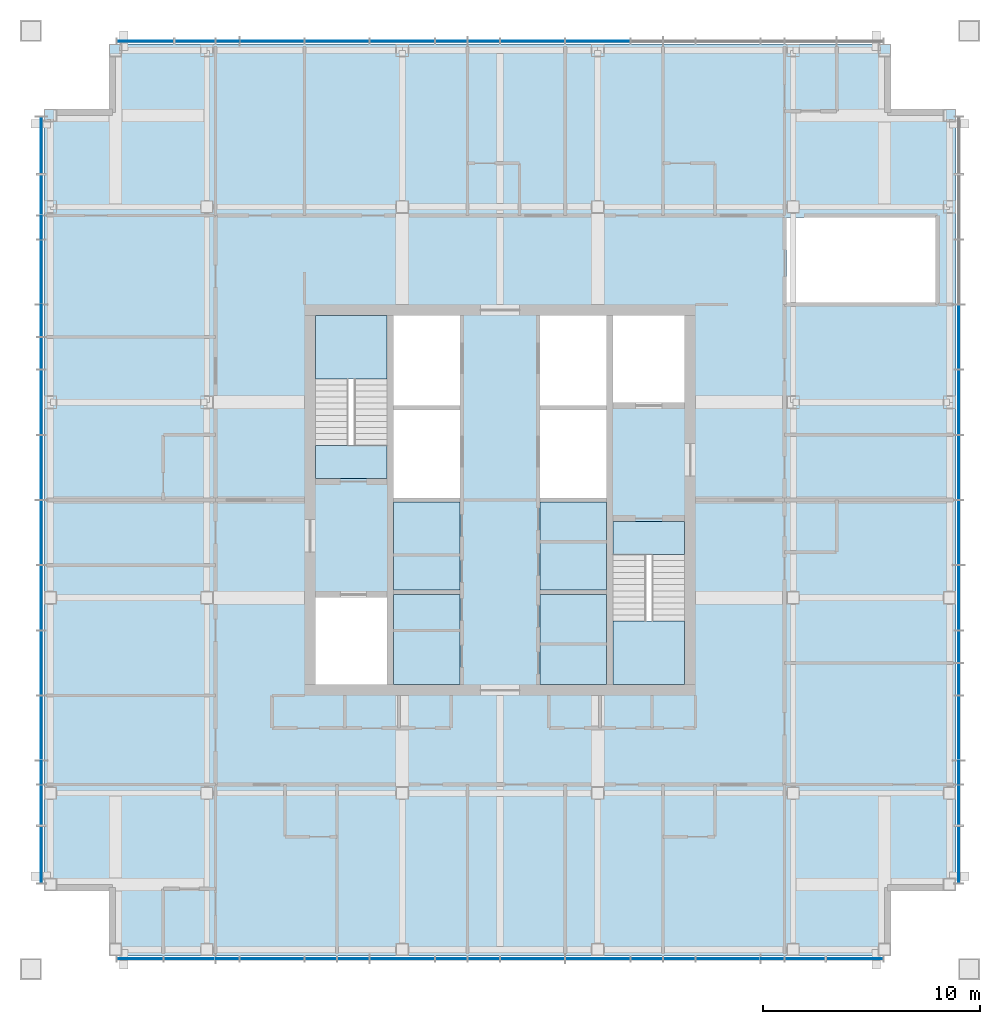
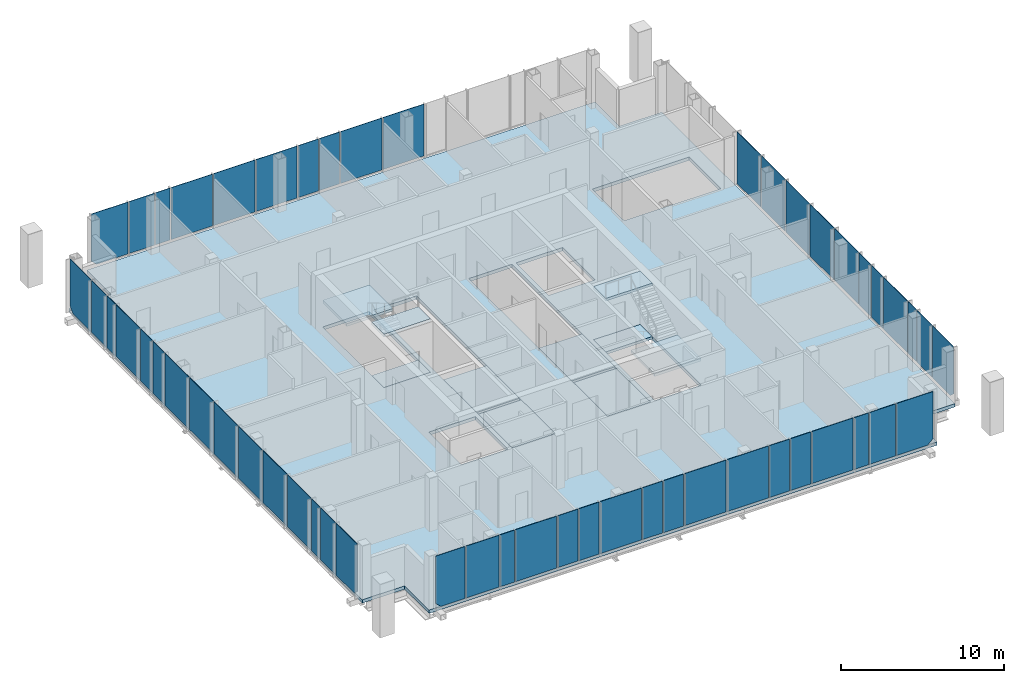
# One storey, part 6 of 12: 53 plates, 11 slabs, 6 elements without a shape of their own.
"""IFC4 building model written with IfcOpenShell, lengths in metres."""

from ifc_helpers import new_model, si_unit, direction, frame, origin, origin_2d, place, context, subcontext, project, spatial, polyline, rectangle, outline, extrude, material, layer, layer_set, type_object, element, aggregate, save


model = new_model("IFC4")

# Units and contexts
model_context = context("Model", 3, precision=1e-05, world=origin(), true_north=direction((0.0, 1.0)))
body_context = subcontext(model_context, "Body", "Model", "MODEL_VIEW")
ifc_project = project(units=[si_unit("LENGTHUNIT", "METRE"), si_unit("AREAUNIT", "SQUARE_METRE"), si_unit("VOLUMEUNIT", "CUBIC_METRE"), si_unit("PLANEANGLEUNIT", "RADIAN"), si_unit("MASSUNIT", "GRAM", prefix="KILO")], contexts=[model_context])

# Site, building, storey
site_placement = place(None, origin())
site = spatial("IfcSite", under=ifc_project, at=site_placement, CompositionType="ELEMENT")
building_placement = place(site_placement, origin())
building = spatial("IfcBuilding", under=site, at=building_placement, Name="Malebo Sky Hospital", CompositionType="ELEMENT")
storey_placement = place(building_placement, frame((0.0, 0.0, 286.0)))
storey = spatial("IfcBuildingStorey", under=building, at=storey_placement, Name="L69", CompositionType="ELEMENT", Elevation=286.0)

# Slabs
ifc_material_1 = material(Name="Concrete C40/50", Category="concrete")
ifc_layer_1 = layer(ifc_material_1, 0.25)
ifc_layer_set_1 = layer_set([ifc_layer_1], Name="COMPOSITE FLOOR SLAB 250")
slab_type_1 = type_object("IfcSlabType", Name="COMPOSITE FLOOR SLAB 250", PredefinedType="FLOOR", material=ifc_layer_set_1)
slab_1_placement = place(storey_placement, frame((0.0, 0.0, -0.25)))
element("IfcSlab", 1, at=slab_1_placement, inside=storey, type_object=slab_type_1, Name="Floor slab L69", PredefinedType="FLOOR", context=body_context, shape_type="SweptSolid", body=[
    extrude(outline(polyline([(42.0, 83.0), (42.0, 80.0), (39.0, 80.0), (39.0, 44.0), (42.0, 44.0), (42.0, 41.0), (78.0, 41.0), (78.0, 44.0), (81.0, 44.0), (81.0, 80.0), (78.0, 80.0), (78.0, 83.0), (42.0, 83.0)]), holes=[polyline([(55.10009765625, 70.5), (58.14990234375, 70.5), (58.14990234375, 53.5), (55.10009765625, 53.5), (55.10009765625, 70.5)]), polyline([(64.89990234375, 70.5), (64.89990234375, 53.5), (61.85009765625, 53.5), (61.85009765625, 70.5), (64.89990234375, 70.5)]), polyline([(54.800048828125, 63.0), (51.5, 63.0), (51.5, 70.5), (54.800048828125, 70.5), (54.800048828125, 63.0)]), polyline([(51.5, 53.5), (51.5, 57.5), (54.800048828125, 57.5), (54.800048828125, 53.5), (51.5, 53.5)]), polyline([(65.199951171875, 61.0), (68.5, 61.0), (68.5, 53.5), (65.199951171875, 53.5), (65.199951171875, 61.0)]), polyline([(68.5, 70.5), (68.5, 66.5), (65.199951171875, 66.5), (65.199951171875, 70.5), (68.5, 70.5)]), polyline([(80.050048828125, 71.10009765625), (73.199951171875, 71.10009765625), (73.199951171875, 75.0), (80.050048828125, 75.0), (80.050048828125, 71.10009765625)])]), origin(), (0.0, 0.0, 1.0), 0.25),
])
ifc_layer_2 = layer(ifc_material_1, 0.25)
ifc_layer_set_2 = layer_set([ifc_layer_2], Name="SHAFT INFILL SLAB 250")
slab_type_2 = type_object("IfcSlabType", Name="SHAFT INFILL SLAB 250", PredefinedType="FLOOR", material=ifc_layer_set_2)
slab_2_placement = place(storey_placement, frame((0.0, 0.0, -0.25)))
element("IfcSlab", 2, at=slab_2_placement, inside=storey, type_object=slab_type_2, Name="Shaft infill slab W1 L69", PredefinedType="FLOOR", context=body_context, shape_type="SweptSolid", body=[
    extrude(outline(polyline([(55.10009765625, 53.5), (58.14990234375, 53.5), (58.14990234375, 57.64990234375), (55.10009765625, 57.64990234375), (55.10009765625, 53.5)])), origin(), (0.0, 0.0, 1.0), 0.25),
])
slab_3_placement = place(storey_placement, frame((0.0, 0.0, -0.25)))
element("IfcSlab", 3, at=slab_3_placement, inside=storey, type_object=slab_type_2, Name="Shaft infill slab W2 L69", PredefinedType="FLOOR", context=body_context, shape_type="SweptSolid", body=[
    extrude(outline(polyline([(55.10009765625, 57.85009765625), (58.14990234375, 57.85009765625), (58.14990234375, 61.89990234375), (55.10009765625, 61.89990234375), (55.10009765625, 57.85009765625)])), origin(), (0.0, 0.0, 1.0), 0.25),
])
slab_4_placement = place(storey_placement, frame((0.0, 0.0, -0.25)))
element("IfcSlab", 4, at=slab_4_placement, inside=storey, type_object=slab_type_2, Name="Shaft infill slab E1 L69", PredefinedType="FLOOR", context=body_context, shape_type="SweptSolid", body=[
    extrude(outline(polyline([(61.85009765625, 53.5), (64.89990234375, 53.5), (64.89990234375, 57.64990234375), (61.85009765625, 57.64990234375), (61.85009765625, 53.5)])), origin(), (0.0, 0.0, 1.0), 0.25),
])
slab_5_placement = place(storey_placement, frame((0.0, 0.0, -0.25)))
element("IfcSlab", 5, at=slab_5_placement, inside=storey, type_object=slab_type_2, Name="Shaft infill slab E2 L69", PredefinedType="FLOOR", context=body_context, shape_type="SweptSolid", body=[
    extrude(outline(polyline([(61.85009765625, 57.85009765625), (64.89990234375, 57.85009765625), (64.89990234375, 61.89990234375), (61.85009765625, 61.89990234375), (61.85009765625, 57.85009765625)])), origin(), (0.0, 0.0, 1.0), 0.25),
])

# Stair, slabs
stair_type = type_object("IfcStairType", Name="HALF-TURN STAIR 1500 R167", PredefinedType="HALF_TURN_STAIR", material=ifc_material_1)
stair_1_placement = place(storey_placement, origin())
stair_1 = element("IfcStair", 6, at=stair_1_placement, inside=storey, type_object=stair_type, Name="Stair S1 L69 type ST1", PredefinedType="HALF_TURN_STAIR")
ifc_layer_3 = layer(ifc_material_1, 0.199951171875)
ifc_layer_set_3 = layer_set([ifc_layer_3], Name="STAIR LANDING 200")
slab_type_3 = type_object("IfcSlabType", Name="STAIR LANDING 200", PredefinedType="LANDING", material=ifc_layer_set_3)
slab_6_placement = place(storey_placement, frame((0.0, 0.0, -0.199951171875)))
slab_6 = element("IfcSlab", 7, at=slab_6_placement, type_object=slab_type_3, Name="S1 landing 1", PredefinedType="LANDING", context=body_context, shape_type="SweptSolid", body=[
    extrude(outline(polyline([(51.5, 63.0), (54.800048828125, 63.0), (54.800048828125, 64.5), (51.5, 64.5), (51.5, 63.0)])), origin(), (0.0, 0.0, 1.0), 0.199951171875),
])
slab_7_placement = place(storey_placement, frame((0.0, 0.0, 1.800048828125)))
slab_7 = element("IfcSlab", 8, at=slab_7_placement, type_object=slab_type_3, Name="S1 landing 2", PredefinedType="LANDING", context=body_context, shape_type="SweptSolid", body=[
    extrude(outline(polyline([(51.5, 67.580078125), (54.800048828125, 67.580078125), (54.800048828125, 70.5), (51.5, 70.5), (51.5, 67.580078125)])), origin(), (0.0, 0.0, 1.0), 0.199951171875),
])
slab_8_placement = place(storey_placement, frame((0.0, 0.0, 3.800048828125)))
slab_8 = element("IfcSlab", 9, at=slab_8_placement, type_object=slab_type_3, Name="S1 landing 3", PredefinedType="LANDING", context=body_context, shape_type="SweptSolid", body=[
    extrude(outline(polyline([(51.5, 63.0), (54.800048828125, 63.0), (54.800048828125, 64.5), (51.5, 64.5), (51.5, 63.0)])), origin(), (0.0, 0.0, 1.0), 0.199951171875),
])
aggregate(stair_1, [slab_6, slab_7, slab_8])

stair_2_placement = place(storey_placement, origin())
stair_2 = element("IfcStair", 10, at=stair_2_placement, inside=storey, type_object=stair_type, Name="Stair S2 L69 type ST1", PredefinedType="HALF_TURN_STAIR")
slab_9_placement = place(storey_placement, frame((0.0, 0.0, -0.199951171875)))
slab_9 = element("IfcSlab", 11, at=slab_9_placement, type_object=slab_type_3, Name="S2 landing 1", PredefinedType="LANDING", context=body_context, shape_type="SweptSolid", body=[
    extrude(outline(polyline([(65.199951171875, 59.5), (68.5, 59.5), (68.5, 61.0), (65.199951171875, 61.0), (65.199951171875, 59.5)])), origin(), (0.0, 0.0, 1.0), 0.199951171875),
])
slab_10_placement = place(storey_placement, frame((0.0, 0.0, 1.800048828125)))
slab_10 = element("IfcSlab", 12, at=slab_10_placement, type_object=slab_type_3, Name="S2 landing 2", PredefinedType="LANDING", context=body_context, shape_type="SweptSolid", body=[
    extrude(outline(polyline([(65.199951171875, 53.5), (68.5, 53.5), (68.5, 56.419921875), (65.199951171875, 56.419921875), (65.199951171875, 53.5)])), origin(), (0.0, 0.0, 1.0), 0.199951171875),
])
slab_11_placement = place(storey_placement, frame((0.0, 0.0, 3.800048828125)))
slab_11 = element("IfcSlab", 13, at=slab_11_placement, type_object=slab_type_3, Name="S2 landing 3", PredefinedType="LANDING", context=body_context, shape_type="SweptSolid", body=[
    extrude(outline(polyline([(65.199951171875, 59.5), (68.5, 59.5), (68.5, 61.0), (65.199951171875, 61.0), (65.199951171875, 59.5)])), origin(), (0.0, 0.0, 1.0), 0.199951171875),
])
aggregate(stair_2, [slab_9, slab_10, slab_11])

# Curtain wall, plates
ifc_material_2 = material(Name="Anodised aluminium, natural silver", Category="aluminium")
ifc_layer_4 = layer(ifc_material_2, 0.25)
ifc_layer_set_4 = layer_set([ifc_layer_4], Name="WARD CURTAIN WALL NORTH AND SOUTH")
curtain_wall_type_1 = type_object("IfcCurtainWallType", Name="WARD CURTAIN WALL NORTH AND SOUTH", PredefinedType="NOTDEFINED", material=ifc_layer_set_4)
curtain_wall_1_placement = place(storey_placement, origin())
curtain_wall_1 = element("IfcCurtainWall", 14, at=curtain_wall_1_placement, inside=storey, type_object=curtain_wall_type_1, Name="NS curtain wall N", PredefinedType="NOTDEFINED")
ifc_material_3 = material(Name="Clear low-iron double glazing", Category="glass")
ifc_layer_5 = layer(ifc_material_3, 0.031982421875)
ifc_layer_set_5 = layer_set([ifc_layer_5], Name="VISION PANEL CLEAR 32")
plate_type = type_object("IfcPlateType", Name="VISION PANEL CLEAR 32", PredefinedType="CURTAIN_PANEL", material=ifc_layer_set_5)
plate_1_placement = place(storey_placement, frame((43.668701171875, 83.125, 0.10009765625), z_axis=(0.0, 0.0, 1.0), x_axis=(1.0, 0.0, 0.0)))
plate_1 = element("IfcPlate", 15, at=plate_1_placement, type_object=plate_type, Name="Panel 1", PredefinedType="CURTAIN_PANEL", context=body_context, shape_type="SweptSolid", body=[
    extrude(outline(polyline([(-0.908203125, 0.0), (1.293701171875, 0.0), (1.293701171875, 3.889892578125), (-1.293701171875, 3.889892578125), (-1.293701171875, 0.361083984375), (-0.908203125, 0.0)])), frame((0.0, 0.01611328125, 0.0), z_axis=(0.0, -1.0, 0.0), x_axis=(1.0, 0.0, 0.0)), (0.0, 0.0, 1.0), 0.031982421875),
])
plate_2_placement = place(storey_placement, frame((45.949951171875, 83.125, 0.10009765625), z_axis=(0.0, 0.0, 1.0), x_axis=(1.0, 0.0, 0.0)))
plate_2 = element("IfcPlate", 16, at=plate_2_placement, type_object=plate_type, Name="Panel 2", PredefinedType="CURTAIN_PANEL", context=body_context, shape_type="SweptSolid", body=[
    extrude(rectangle(XDim=1.824951171875, YDim=0.031982421875, at=origin_2d()), origin(), (0.0, 0.0, 1.0), 3.889892578125),
])
plate_3_placement = place(storey_placement, frame((47.449951171875, 83.125, 0.10009765625), z_axis=(0.0, 0.0, 1.0), x_axis=(1.0, 0.0, 0.0)))
plate_3 = element("IfcPlate", 17, at=plate_3_placement, type_object=plate_type, Name="Panel 3", PredefinedType="CURTAIN_PANEL", context=body_context, shape_type="SweptSolid", body=[
    extrude(rectangle(XDim=1.02490234375, YDim=0.031982421875, at=origin_2d()), origin(), (0.0, 0.0, 1.0), 3.889892578125),
])
plate_4_placement = place(storey_placement, frame((49.5, 83.125, 0.10009765625), z_axis=(0.0, 0.0, 1.0), x_axis=(1.0, 0.0, 0.0)))
plate_4 = element("IfcPlate", 18, at=plate_4_placement, type_object=plate_type, Name="Panel 4", PredefinedType="CURTAIN_PANEL", context=body_context, shape_type="SweptSolid", body=[
    extrude(rectangle(XDim=2.925048828125, YDim=0.031982421875, at=origin_2d()), origin(), (0.0, 0.0, 1.0), 3.889892578125),
])
plate_5_placement = place(storey_placement, frame((52.5, 83.125, 0.10009765625), z_axis=(0.0, 0.0, 1.0), x_axis=(1.0, 0.0, 0.0)))
plate_5 = element("IfcPlate", 19, at=plate_5_placement, type_object=plate_type, Name="Panel 5", PredefinedType="CURTAIN_PANEL", context=body_context, shape_type="SweptSolid", body=[
    extrude(rectangle(XDim=2.925048828125, YDim=0.031982421875, at=origin_2d()), origin(), (0.0, 0.0, 1.0), 3.889892578125),
])
plate_6_placement = place(storey_placement, frame((55.5, 83.125, 0.10009765625), z_axis=(0.0, 0.0, 1.0), x_axis=(1.0, 0.0, 0.0)))
plate_6 = element("IfcPlate", 20, at=plate_6_placement, type_object=plate_type, Name="Panel 6", PredefinedType="CURTAIN_PANEL", context=body_context, shape_type="SweptSolid", body=[
    extrude(rectangle(XDim=2.925048828125, YDim=0.031982421875, at=origin_2d()), origin(), (0.0, 0.0, 1.0), 3.889892578125),
])
plate_7_placement = place(storey_placement, frame((57.75, 83.125, 0.10009765625), z_axis=(0.0, 0.0, 1.0), x_axis=(1.0, 0.0, 0.0)))
plate_7 = element("IfcPlate", 21, at=plate_7_placement, type_object=plate_type, Name="Panel 7", PredefinedType="CURTAIN_PANEL", context=body_context, shape_type="SweptSolid", body=[
    extrude(rectangle(XDim=1.425048828125, YDim=0.031982421875, at=origin_2d()), origin(), (0.0, 0.0, 1.0), 3.889892578125),
])
plate_8_placement = place(storey_placement, frame((59.25, 83.125, 0.10009765625), z_axis=(0.0, 0.0, 1.0), x_axis=(1.0, 0.0, 0.0)))
plate_8 = element("IfcPlate", 22, at=plate_8_placement, type_object=plate_type, Name="Panel 8", PredefinedType="CURTAIN_PANEL", context=body_context, shape_type="SweptSolid", body=[
    extrude(rectangle(XDim=1.425048828125, YDim=0.031982421875, at=origin_2d()), origin(), (0.0, 0.0, 1.0), 3.889892578125),
])
plate_9_placement = place(storey_placement, frame((61.5, 83.125, 0.10009765625), z_axis=(0.0, 0.0, 1.0), x_axis=(1.0, 0.0, 0.0)))
plate_9 = element("IfcPlate", 23, at=plate_9_placement, type_object=plate_type, Name="Panel 9", PredefinedType="CURTAIN_PANEL", context=body_context, shape_type="SweptSolid", body=[
    extrude(rectangle(XDim=2.925048828125, YDim=0.031982421875, at=origin_2d()), origin(), (0.0, 0.0, 1.0), 3.889892578125),
])
plate_10_placement = place(storey_placement, frame((64.5, 83.125, 0.10009765625), z_axis=(0.0, 0.0, 1.0), x_axis=(1.0, 0.0, 0.0)))
plate_10 = element("IfcPlate", 24, at=plate_10_placement, type_object=plate_type, Name="Panel 10", PredefinedType="CURTAIN_PANEL", context=body_context, shape_type="SweptSolid", body=[
    extrude(rectangle(XDim=2.925048828125, YDim=0.031982421875, at=origin_2d()), origin(), (0.0, 0.0, 1.0), 3.889892578125),
])
aggregate(curtain_wall_1, [plate_1, plate_2, plate_3, plate_4, plate_5, plate_6, plate_7, plate_8, plate_9, plate_10])

ifc_layer_6 = layer(ifc_material_2, 0.25)
ifc_layer_set_6 = layer_set([ifc_layer_6], Name="WARD CURTAIN WALL EAST AND WEST")
curtain_wall_type_2 = type_object("IfcCurtainWallType", Name="WARD CURTAIN WALL EAST AND WEST", PredefinedType="NOTDEFINED", material=ifc_layer_set_6)
curtain_wall_2_placement = place(storey_placement, origin())
curtain_wall_2 = element("IfcCurtainWall", 25, at=curtain_wall_2_placement, inside=storey, type_object=curtain_wall_type_2, Name="EW curtain wall W", PredefinedType="NOTDEFINED")
plate_11_placement = place(storey_placement, frame((38.875, 45.668701171875, 0.10009765625), z_axis=(0.0, 0.0, 1.0), x_axis=(0.0, 1.0, 0.0)))
plate_11 = element("IfcPlate", 26, at=plate_11_placement, type_object=plate_type, Name="Panel 1", PredefinedType="CURTAIN_PANEL", context=body_context, shape_type="SweptSolid", body=[
    extrude(outline(polyline([(-0.908203125, 0.0), (1.293701171875, 0.0), (1.293701171875, 3.889892578125), (-1.293701171875, 3.889892578125), (-1.293701171875, 0.361083984375), (-0.908203125, 0.0)])), frame((0.0, 0.01611328125, 0.0), z_axis=(0.0, -1.0, 0.0), x_axis=(1.0, 0.0, 0.0)), (0.0, 0.0, 1.0), 0.031982421875),
])
plate_12_placement = place(storey_placement, frame((38.875, 47.949951171875, 0.10009765625), z_axis=(0.0, 0.0, 1.0), x_axis=(0.0, 1.0, 0.0)))
plate_12 = element("IfcPlate", 27, at=plate_12_placement, type_object=plate_type, Name="Panel 2", PredefinedType="CURTAIN_PANEL", context=body_context, shape_type="SweptSolid", body=[
    extrude(rectangle(XDim=1.824951171875, YDim=0.031982421875, at=origin_2d()), origin(), (0.0, 0.0, 1.0), 3.889892578125),
])
plate_13_placement = place(storey_placement, frame((38.875, 49.449951171875, 0.10009765625), z_axis=(0.0, 0.0, 1.0), x_axis=(0.0, 1.0, 0.0)))
plate_13 = element("IfcPlate", 28, at=plate_13_placement, type_object=plate_type, Name="Panel 3", PredefinedType="CURTAIN_PANEL", context=body_context, shape_type="SweptSolid", body=[
    extrude(rectangle(XDim=1.02490234375, YDim=0.031982421875, at=origin_2d()), origin(), (0.0, 0.0, 1.0), 3.889892578125),
])
plate_14_placement = place(storey_placement, frame((38.875, 51.5, 0.10009765625), z_axis=(0.0, 0.0, 1.0), x_axis=(0.0, 1.0, 0.0)))
plate_14 = element("IfcPlate", 29, at=plate_14_placement, type_object=plate_type, Name="Panel 4", PredefinedType="CURTAIN_PANEL", context=body_context, shape_type="SweptSolid", body=[
    extrude(rectangle(XDim=2.925048828125, YDim=0.031982421875, at=origin_2d()), origin(), (0.0, 0.0, 1.0), 3.889892578125),
])
plate_15_placement = place(storey_placement, frame((38.875, 54.5, 0.10009765625), z_axis=(0.0, 0.0, 1.0), x_axis=(0.0, 1.0, 0.0)))
plate_15 = element("IfcPlate", 30, at=plate_15_placement, type_object=plate_type, Name="Panel 5", PredefinedType="CURTAIN_PANEL", context=body_context, shape_type="SweptSolid", body=[
    extrude(rectangle(XDim=2.925048828125, YDim=0.031982421875, at=origin_2d()), origin(), (0.0, 0.0, 1.0), 3.889892578125),
])
plate_16_placement = place(storey_placement, frame((38.875, 57.5, 0.10009765625), z_axis=(0.0, 0.0, 1.0), x_axis=(0.0, 1.0, 0.0)))
plate_16 = element("IfcPlate", 31, at=plate_16_placement, type_object=plate_type, Name="Panel 6", PredefinedType="CURTAIN_PANEL", context=body_context, shape_type="SweptSolid", body=[
    extrude(rectangle(XDim=2.925048828125, YDim=0.031982421875, at=origin_2d()), origin(), (0.0, 0.0, 1.0), 3.889892578125),
])
plate_17_placement = place(storey_placement, frame((38.875, 60.5, 0.10009765625), z_axis=(0.0, 0.0, 1.0), x_axis=(0.0, 1.0, 0.0)))
plate_17 = element("IfcPlate", 32, at=plate_17_placement, type_object=plate_type, Name="Panel 7", PredefinedType="CURTAIN_PANEL", context=body_context, shape_type="SweptSolid", body=[
    extrude(rectangle(XDim=2.925048828125, YDim=0.031982421875, at=origin_2d()), origin(), (0.0, 0.0, 1.0), 3.889892578125),
])
plate_18_placement = place(storey_placement, frame((38.875, 63.5, 0.10009765625), z_axis=(0.0, 0.0, 1.0), x_axis=(0.0, 1.0, 0.0)))
plate_18 = element("IfcPlate", 33, at=plate_18_placement, type_object=plate_type, Name="Panel 8", PredefinedType="CURTAIN_PANEL", context=body_context, shape_type="SweptSolid", body=[
    extrude(rectangle(XDim=2.925048828125, YDim=0.031982421875, at=origin_2d()), origin(), (0.0, 0.0, 1.0), 3.889892578125),
])
plate_19_placement = place(storey_placement, frame((38.875, 66.5, 0.10009765625), z_axis=(0.0, 0.0, 1.0), x_axis=(0.0, 1.0, 0.0)))
plate_19 = element("IfcPlate", 34, at=plate_19_placement, type_object=plate_type, Name="Panel 9", PredefinedType="CURTAIN_PANEL", context=body_context, shape_type="SweptSolid", body=[
    extrude(rectangle(XDim=2.925048828125, YDim=0.031982421875, at=origin_2d()), origin(), (0.0, 0.0, 1.0), 3.889892578125),
])
plate_20_placement = place(storey_placement, frame((38.875, 68.75, 0.10009765625), z_axis=(0.0, 0.0, 1.0), x_axis=(0.0, 1.0, 0.0)))
plate_20 = element("IfcPlate", 35, at=plate_20_placement, type_object=plate_type, Name="Panel 10", PredefinedType="CURTAIN_PANEL", context=body_context, shape_type="SweptSolid", body=[
    extrude(rectangle(XDim=1.425048828125, YDim=0.031982421875, at=origin_2d()), origin(), (0.0, 0.0, 1.0), 3.889892578125),
])
plate_21_placement = place(storey_placement, frame((38.875, 70.25, 0.10009765625), z_axis=(0.0, 0.0, 1.0), x_axis=(0.0, 1.0, 0.0)))
plate_21 = element("IfcPlate", 36, at=plate_21_placement, type_object=plate_type, Name="Panel 11", PredefinedType="CURTAIN_PANEL", context=body_context, shape_type="SweptSolid", body=[
    extrude(rectangle(XDim=1.425048828125, YDim=0.031982421875, at=origin_2d()), origin(), (0.0, 0.0, 1.0), 3.889892578125),
])
plate_22_placement = place(storey_placement, frame((38.875, 72.5, 0.10009765625), z_axis=(0.0, 0.0, 1.0), x_axis=(0.0, 1.0, 0.0)))
plate_22 = element("IfcPlate", 37, at=plate_22_placement, type_object=plate_type, Name="Panel 12", PredefinedType="CURTAIN_PANEL", context=body_context, shape_type="SweptSolid", body=[
    extrude(rectangle(XDim=2.925048828125, YDim=0.031982421875, at=origin_2d()), origin(), (0.0, 0.0, 1.0), 3.889892578125),
])
plate_23_placement = place(storey_placement, frame((38.875, 74.550048828125, 0.10009765625), z_axis=(0.0, 0.0, 1.0), x_axis=(0.0, 1.0, 0.0)))
plate_23 = element("IfcPlate", 38, at=plate_23_placement, type_object=plate_type, Name="Panel 13", PredefinedType="CURTAIN_PANEL", context=body_context, shape_type="SweptSolid", body=[
    extrude(rectangle(XDim=1.02490234375, YDim=0.031982421875, at=origin_2d()), origin(), (0.0, 0.0, 1.0), 3.889892578125),
])
plate_24_placement = place(storey_placement, frame((38.875, 76.050048828125, 0.10009765625), z_axis=(0.0, 0.0, 1.0), x_axis=(0.0, 1.0, 0.0)))
plate_24 = element("IfcPlate", 39, at=plate_24_placement, type_object=plate_type, Name="Panel 14", PredefinedType="CURTAIN_PANEL", context=body_context, shape_type="SweptSolid", body=[
    extrude(rectangle(XDim=1.824951171875, YDim=0.031982421875, at=origin_2d()), origin(), (0.0, 0.0, 1.0), 3.889892578125),
])
plate_25_placement = place(storey_placement, frame((38.875, 78.331298828125, 0.10009765625), z_axis=(0.0, 0.0, 1.0), x_axis=(0.0, 1.0, 0.0)))
plate_25 = element("IfcPlate", 40, at=plate_25_placement, type_object=plate_type, Name="Panel 15", PredefinedType="CURTAIN_PANEL", context=body_context, shape_type="SweptSolid", body=[
    extrude(outline(polyline([(-1.293701171875, 0.0), (0.908203125, 0.0), (1.293701171875, 0.361083984375), (1.293701171875, 3.889892578125), (-1.293701171875, 3.889892578125), (-1.293701171875, 0.0)])), frame((0.0, 0.01611328125, 0.0), z_axis=(0.0, -1.0, 0.0), x_axis=(1.0, 0.0, 0.0)), (0.0, 0.0, 1.0), 0.031982421875),
])
aggregate(curtain_wall_2, [plate_11, plate_12, plate_13, plate_14, plate_15, plate_16, plate_17, plate_18, plate_19, plate_20, plate_21, plate_22, plate_23, plate_24, plate_25])

curtain_wall_3_placement = place(storey_placement, origin())
curtain_wall_3 = element("IfcCurtainWall", 41, at=curtain_wall_3_placement, inside=storey, type_object=curtain_wall_type_1, Name="NS curtain wall S", PredefinedType="NOTDEFINED")
plate_26_placement = place(storey_placement, frame((76.331298828125, 40.875, 0.10009765625), z_axis=(0.0, 0.0, 1.0), x_axis=(-1.0, 0.0, 0.0)))
plate_26 = element("IfcPlate", 42, at=plate_26_placement, type_object=plate_type, Name="Panel 1", PredefinedType="CURTAIN_PANEL", context=body_context, shape_type="SweptSolid", body=[
    extrude(outline(polyline([(-0.908203125, 0.0), (1.293701171875, 0.0), (1.293701171875, 3.889892578125), (-1.293701171875, 3.889892578125), (-1.293701171875, 0.361083984375), (-0.908203125, 0.0)])), frame((0.0, 0.01611328125, 0.0), z_axis=(0.0, -1.0, 0.0), x_axis=(1.0, 0.0, 0.0)), (0.0, 0.0, 1.0), 0.031982421875),
])
plate_27_placement = place(storey_placement, frame((74.050048828125, 40.875, 0.10009765625), z_axis=(0.0, 0.0, 1.0), x_axis=(-1.0, 0.0, 0.0)))
plate_27 = element("IfcPlate", 43, at=plate_27_placement, type_object=plate_type, Name="Panel 2", PredefinedType="CURTAIN_PANEL", context=body_context, shape_type="SweptSolid", body=[
    extrude(rectangle(XDim=1.824951171875, YDim=0.031982421875, at=origin_2d()), origin(), (0.0, 0.0, 1.0), 3.889892578125),
])
plate_28_placement = place(storey_placement, frame((72.550048828125, 40.875, 0.10009765625), z_axis=(0.0, 0.0, 1.0), x_axis=(-1.0, 0.0, 0.0)))
plate_28 = element("IfcPlate", 44, at=plate_28_placement, type_object=plate_type, Name="Panel 3", PredefinedType="CURTAIN_PANEL", context=body_context, shape_type="SweptSolid", body=[
    extrude(rectangle(XDim=1.02490234375, YDim=0.031982421875, at=origin_2d()), origin(), (0.0, 0.0, 1.0), 3.889892578125),
])
plate_29_placement = place(storey_placement, frame((70.5, 40.875, 0.10009765625), z_axis=(0.0, 0.0, 1.0), x_axis=(-1.0, 0.0, 0.0)))
plate_29 = element("IfcPlate", 45, at=plate_29_placement, type_object=plate_type, Name="Panel 4", PredefinedType="CURTAIN_PANEL", context=body_context, shape_type="SweptSolid", body=[
    extrude(rectangle(XDim=2.925048828125, YDim=0.031982421875, at=origin_2d()), origin(), (0.0, 0.0, 1.0), 3.889892578125),
])
plate_30_placement = place(storey_placement, frame((68.25, 40.875, 0.10009765625), z_axis=(0.0, 0.0, 1.0), x_axis=(-1.0, 0.0, 0.0)))
plate_30 = element("IfcPlate", 46, at=plate_30_placement, type_object=plate_type, Name="Panel 5", PredefinedType="CURTAIN_PANEL", context=body_context, shape_type="SweptSolid", body=[
    extrude(rectangle(XDim=1.425048828125, YDim=0.031982421875, at=origin_2d()), origin(), (0.0, 0.0, 1.0), 3.889892578125),
])
plate_31_placement = place(storey_placement, frame((66.75, 40.875, 0.10009765625), z_axis=(0.0, 0.0, 1.0), x_axis=(-1.0, 0.0, 0.0)))
plate_31 = element("IfcPlate", 47, at=plate_31_placement, type_object=plate_type, Name="Panel 6", PredefinedType="CURTAIN_PANEL", context=body_context, shape_type="SweptSolid", body=[
    extrude(rectangle(XDim=1.425048828125, YDim=0.031982421875, at=origin_2d()), origin(), (0.0, 0.0, 1.0), 3.889892578125),
])
plate_32_placement = place(storey_placement, frame((64.5, 40.875, 0.10009765625), z_axis=(0.0, 0.0, 1.0), x_axis=(-1.0, 0.0, 0.0)))
plate_32 = element("IfcPlate", 48, at=plate_32_placement, type_object=plate_type, Name="Panel 7", PredefinedType="CURTAIN_PANEL", context=body_context, shape_type="SweptSolid", body=[
    extrude(rectangle(XDim=2.925048828125, YDim=0.031982421875, at=origin_2d()), origin(), (0.0, 0.0, 1.0), 3.889892578125),
])
plate_33_placement = place(storey_placement, frame((61.5, 40.875, 0.10009765625), z_axis=(0.0, 0.0, 1.0), x_axis=(-1.0, 0.0, 0.0)))
plate_33 = element("IfcPlate", 49, at=plate_33_placement, type_object=plate_type, Name="Panel 8", PredefinedType="CURTAIN_PANEL", context=body_context, shape_type="SweptSolid", body=[
    extrude(rectangle(XDim=2.925048828125, YDim=0.031982421875, at=origin_2d()), origin(), (0.0, 0.0, 1.0), 3.889892578125),
])
plate_34_placement = place(storey_placement, frame((59.25, 40.875, 0.10009765625), z_axis=(0.0, 0.0, 1.0), x_axis=(-1.0, 0.0, 0.0)))
plate_34 = element("IfcPlate", 50, at=plate_34_placement, type_object=plate_type, Name="Panel 9", PredefinedType="CURTAIN_PANEL", context=body_context, shape_type="SweptSolid", body=[
    extrude(rectangle(XDim=1.425048828125, YDim=0.031982421875, at=origin_2d()), origin(), (0.0, 0.0, 1.0), 3.889892578125),
])
plate_35_placement = place(storey_placement, frame((57.75, 40.875, 0.10009765625), z_axis=(0.0, 0.0, 1.0), x_axis=(-1.0, 0.0, 0.0)))
plate_35 = element("IfcPlate", 51, at=plate_35_placement, type_object=plate_type, Name="Panel 10", PredefinedType="CURTAIN_PANEL", context=body_context, shape_type="SweptSolid", body=[
    extrude(rectangle(XDim=1.425048828125, YDim=0.031982421875, at=origin_2d()), origin(), (0.0, 0.0, 1.0), 3.889892578125),
])
plate_36_placement = place(storey_placement, frame((55.5, 40.875, 0.10009765625), z_axis=(0.0, 0.0, 1.0), x_axis=(-1.0, 0.0, 0.0)))
plate_36 = element("IfcPlate", 52, at=plate_36_placement, type_object=plate_type, Name="Panel 11", PredefinedType="CURTAIN_PANEL", context=body_context, shape_type="SweptSolid", body=[
    extrude(rectangle(XDim=2.925048828125, YDim=0.031982421875, at=origin_2d()), origin(), (0.0, 0.0, 1.0), 3.889892578125),
])
plate_37_placement = place(storey_placement, frame((53.25, 40.875, 0.10009765625), z_axis=(0.0, 0.0, 1.0), x_axis=(-1.0, 0.0, 0.0)))
plate_37 = element("IfcPlate", 53, at=plate_37_placement, type_object=plate_type, Name="Panel 12", PredefinedType="CURTAIN_PANEL", context=body_context, shape_type="SweptSolid", body=[
    extrude(rectangle(XDim=1.425048828125, YDim=0.031982421875, at=origin_2d()), origin(), (0.0, 0.0, 1.0), 3.889892578125),
])
plate_38_placement = place(storey_placement, frame((51.75, 40.875, 0.10009765625), z_axis=(0.0, 0.0, 1.0), x_axis=(-1.0, 0.0, 0.0)))
plate_38 = element("IfcPlate", 54, at=plate_38_placement, type_object=plate_type, Name="Panel 13", PredefinedType="CURTAIN_PANEL", context=body_context, shape_type="SweptSolid", body=[
    extrude(rectangle(XDim=1.425048828125, YDim=0.031982421875, at=origin_2d()), origin(), (0.0, 0.0, 1.0), 3.889892578125),
])
plate_39_placement = place(storey_placement, frame((49.5, 40.875, 0.10009765625), z_axis=(0.0, 0.0, 1.0), x_axis=(-1.0, 0.0, 0.0)))
plate_39 = element("IfcPlate", 55, at=plate_39_placement, type_object=plate_type, Name="Panel 14", PredefinedType="CURTAIN_PANEL", context=body_context, shape_type="SweptSolid", body=[
    extrude(rectangle(XDim=2.925048828125, YDim=0.031982421875, at=origin_2d()), origin(), (0.0, 0.0, 1.0), 3.889892578125),
])
plate_40_placement = place(storey_placement, frame((47.449951171875, 40.875, 0.10009765625), z_axis=(0.0, 0.0, 1.0), x_axis=(-1.0, 0.0, 0.0)))
plate_40 = element("IfcPlate", 56, at=plate_40_placement, type_object=plate_type, Name="Panel 15", PredefinedType="CURTAIN_PANEL", context=body_context, shape_type="SweptSolid", body=[
    extrude(rectangle(XDim=1.02490234375, YDim=0.031982421875, at=origin_2d()), origin(), (0.0, 0.0, 1.0), 3.889892578125),
])
plate_41_placement = place(storey_placement, frame((45.699951171875, 40.875, 0.10009765625), z_axis=(0.0, 0.0, 1.0), x_axis=(-1.0, 0.0, 0.0)))
plate_41 = element("IfcPlate", 57, at=plate_41_placement, type_object=plate_type, Name="Panel 16", PredefinedType="CURTAIN_PANEL", context=body_context, shape_type="SweptSolid", body=[
    extrude(rectangle(XDim=2.324951171875, YDim=0.031982421875, at=origin_2d()), origin(), (0.0, 0.0, 1.0), 3.889892578125),
])
plate_42_placement = place(storey_placement, frame((43.418701171875, 40.875, 0.10009765625), z_axis=(0.0, 0.0, 1.0), x_axis=(-1.0, 0.0, 0.0)))
plate_42 = element("IfcPlate", 58, at=plate_42_placement, type_object=plate_type, Name="Panel 17", PredefinedType="CURTAIN_PANEL", context=body_context, shape_type="SweptSolid", body=[
    extrude(outline(polyline([(-1.043701171875, 0.0), (0.658203125, 0.0), (1.043701171875, 0.361083984375), (1.043701171875, 3.889892578125), (-1.043701171875, 3.889892578125), (-1.043701171875, 0.0)])), frame((0.0, 0.01611328125, 0.0), z_axis=(0.0, -1.0, 0.0), x_axis=(1.0, 0.0, 0.0)), (0.0, 0.0, 1.0), 0.031982421875),
])
aggregate(curtain_wall_3, [plate_26, plate_27, plate_28, plate_29, plate_30, plate_31, plate_32, plate_33, plate_34, plate_35, plate_36, plate_37, plate_38, plate_39, plate_40, plate_41, plate_42])

curtain_wall_4_placement = place(storey_placement, origin())
curtain_wall_4 = element("IfcCurtainWall", 59, at=curtain_wall_4_placement, inside=storey, type_object=curtain_wall_type_2, Name="EW curtain wall E", PredefinedType="NOTDEFINED")
plate_43_placement = place(storey_placement, frame((81.125, 69.5, 0.10009765625), z_axis=(0.0, 0.0, 1.0), x_axis=(0.0, -1.0, 0.0)))
plate_43 = element("IfcPlate", 60, at=plate_43_placement, type_object=plate_type, Name="Panel 4", PredefinedType="CURTAIN_PANEL", context=body_context, shape_type="SweptSolid", body=[
    extrude(rectangle(XDim=2.925048828125, YDim=0.031982421875, at=origin_2d()), origin(), (0.0, 0.0, 1.0), 3.889892578125),
])
plate_44_placement = place(storey_placement, frame((81.125, 66.5, 0.10009765625), z_axis=(0.0, 0.0, 1.0), x_axis=(0.0, -1.0, 0.0)))
plate_44 = element("IfcPlate", 61, at=plate_44_placement, type_object=plate_type, Name="Panel 5", PredefinedType="CURTAIN_PANEL", context=body_context, shape_type="SweptSolid", body=[
    extrude(rectangle(XDim=2.925048828125, YDim=0.031982421875, at=origin_2d()), origin(), (0.0, 0.0, 1.0), 3.889892578125),
])
plate_45_placement = place(storey_placement, frame((81.125, 63.5, 0.10009765625), z_axis=(0.0, 0.0, 1.0), x_axis=(0.0, -1.0, 0.0)))
plate_45 = element("IfcPlate", 62, at=plate_45_placement, type_object=plate_type, Name="Panel 6", PredefinedType="CURTAIN_PANEL", context=body_context, shape_type="SweptSolid", body=[
    extrude(rectangle(XDim=2.925048828125, YDim=0.031982421875, at=origin_2d()), origin(), (0.0, 0.0, 1.0), 3.889892578125),
])
plate_46_placement = place(storey_placement, frame((81.125, 60.5, 0.10009765625), z_axis=(0.0, 0.0, 1.0), x_axis=(0.0, -1.0, 0.0)))
plate_46 = element("IfcPlate", 63, at=plate_46_placement, type_object=plate_type, Name="Panel 7", PredefinedType="CURTAIN_PANEL", context=body_context, shape_type="SweptSolid", body=[
    extrude(rectangle(XDim=2.925048828125, YDim=0.031982421875, at=origin_2d()), origin(), (0.0, 0.0, 1.0), 3.889892578125),
])
plate_47_placement = place(storey_placement, frame((81.125, 57.5, 0.10009765625), z_axis=(0.0, 0.0, 1.0), x_axis=(0.0, -1.0, 0.0)))
plate_47 = element("IfcPlate", 64, at=plate_47_placement, type_object=plate_type, Name="Panel 8", PredefinedType="CURTAIN_PANEL", context=body_context, shape_type="SweptSolid", body=[
    extrude(rectangle(XDim=2.925048828125, YDim=0.031982421875, at=origin_2d()), origin(), (0.0, 0.0, 1.0), 3.889892578125),
])
plate_48_placement = place(storey_placement, frame((81.125, 55.25, 0.10009765625), z_axis=(0.0, 0.0, 1.0), x_axis=(0.0, -1.0, 0.0)))
plate_48 = element("IfcPlate", 65, at=plate_48_placement, type_object=plate_type, Name="Panel 9", PredefinedType="CURTAIN_PANEL", context=body_context, shape_type="SweptSolid", body=[
    extrude(rectangle(XDim=1.425048828125, YDim=0.031982421875, at=origin_2d()), origin(), (0.0, 0.0, 1.0), 3.889892578125),
])
plate_49_placement = place(storey_placement, frame((81.125, 53.75, 0.10009765625), z_axis=(0.0, 0.0, 1.0), x_axis=(0.0, -1.0, 0.0)))
plate_49 = element("IfcPlate", 66, at=plate_49_placement, type_object=plate_type, Name="Panel 10", PredefinedType="CURTAIN_PANEL", context=body_context, shape_type="SweptSolid", body=[
    extrude(rectangle(XDim=1.425048828125, YDim=0.031982421875, at=origin_2d()), origin(), (0.0, 0.0, 1.0), 3.889892578125),
])
plate_50_placement = place(storey_placement, frame((81.125, 51.5, 0.10009765625), z_axis=(0.0, 0.0, 1.0), x_axis=(0.0, -1.0, 0.0)))
plate_50 = element("IfcPlate", 67, at=plate_50_placement, type_object=plate_type, Name="Panel 11", PredefinedType="CURTAIN_PANEL", context=body_context, shape_type="SweptSolid", body=[
    extrude(rectangle(XDim=2.925048828125, YDim=0.031982421875, at=origin_2d()), origin(), (0.0, 0.0, 1.0), 3.889892578125),
])
plate_51_placement = place(storey_placement, frame((81.125, 49.449951171875, 0.10009765625), z_axis=(0.0, 0.0, 1.0), x_axis=(0.0, -1.0, 0.0)))
plate_51 = element("IfcPlate", 68, at=plate_51_placement, type_object=plate_type, Name="Panel 12", PredefinedType="CURTAIN_PANEL", context=body_context, shape_type="SweptSolid", body=[
    extrude(rectangle(XDim=1.02490234375, YDim=0.031982421875, at=origin_2d()), origin(), (0.0, 0.0, 1.0), 3.889892578125),
])
plate_52_placement = place(storey_placement, frame((81.125, 47.949951171875, 0.10009765625), z_axis=(0.0, 0.0, 1.0), x_axis=(0.0, -1.0, 0.0)))
plate_52 = element("IfcPlate", 69, at=plate_52_placement, type_object=plate_type, Name="Panel 13", PredefinedType="CURTAIN_PANEL", context=body_context, shape_type="SweptSolid", body=[
    extrude(rectangle(XDim=1.824951171875, YDim=0.031982421875, at=origin_2d()), origin(), (0.0, 0.0, 1.0), 3.889892578125),
])
plate_53_placement = place(storey_placement, frame((81.125, 45.668701171875, 0.10009765625), z_axis=(0.0, 0.0, 1.0), x_axis=(0.0, -1.0, 0.0)))
plate_53 = element("IfcPlate", 70, at=plate_53_placement, type_object=plate_type, Name="Panel 14", PredefinedType="CURTAIN_PANEL", context=body_context, shape_type="SweptSolid", body=[
    extrude(outline(polyline([(-1.293701171875, 0.0), (0.908203125, 0.0), (1.293701171875, 0.361083984375), (1.293701171875, 3.889892578125), (-1.293701171875, 3.889892578125), (-1.293701171875, 0.0)])), frame((0.0, 0.01611328125, 0.0), z_axis=(0.0, -1.0, 0.0), x_axis=(1.0, 0.0, 0.0)), (0.0, 0.0, 1.0), 0.031982421875),
])
aggregate(curtain_wall_4, [plate_43, plate_44, plate_45, plate_46, plate_47, plate_48, plate_49, plate_50, plate_51, plate_52, plate_53])

save(model, "model.ifc")
